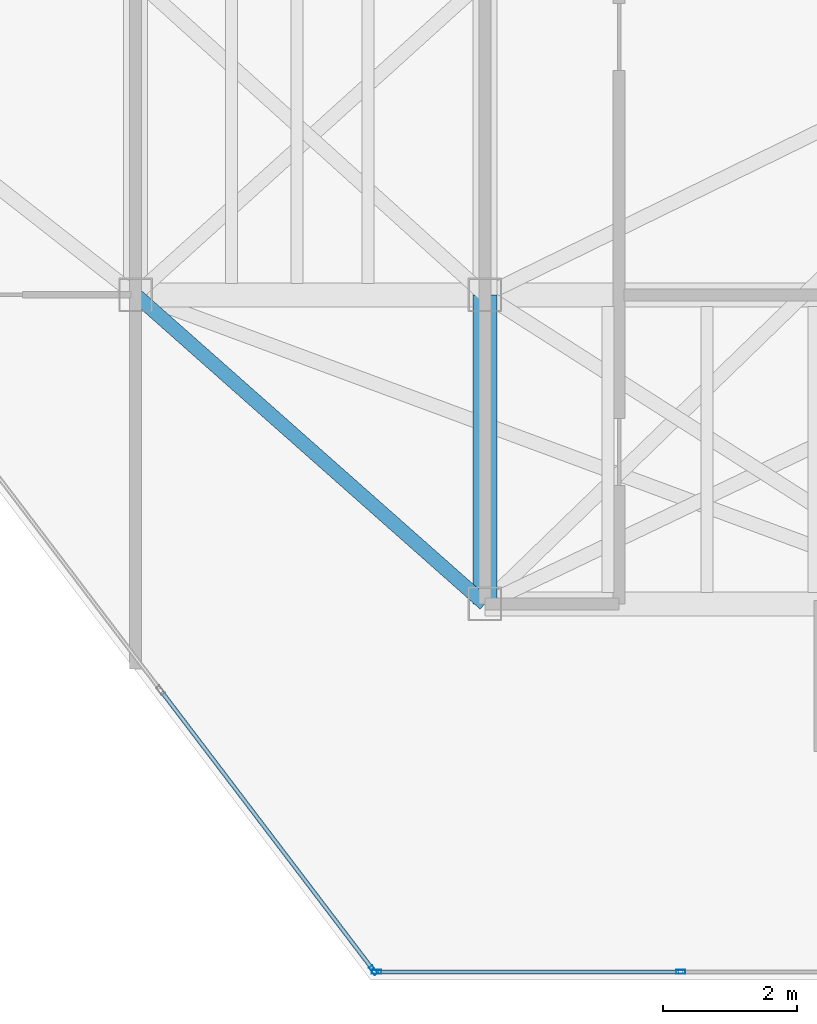
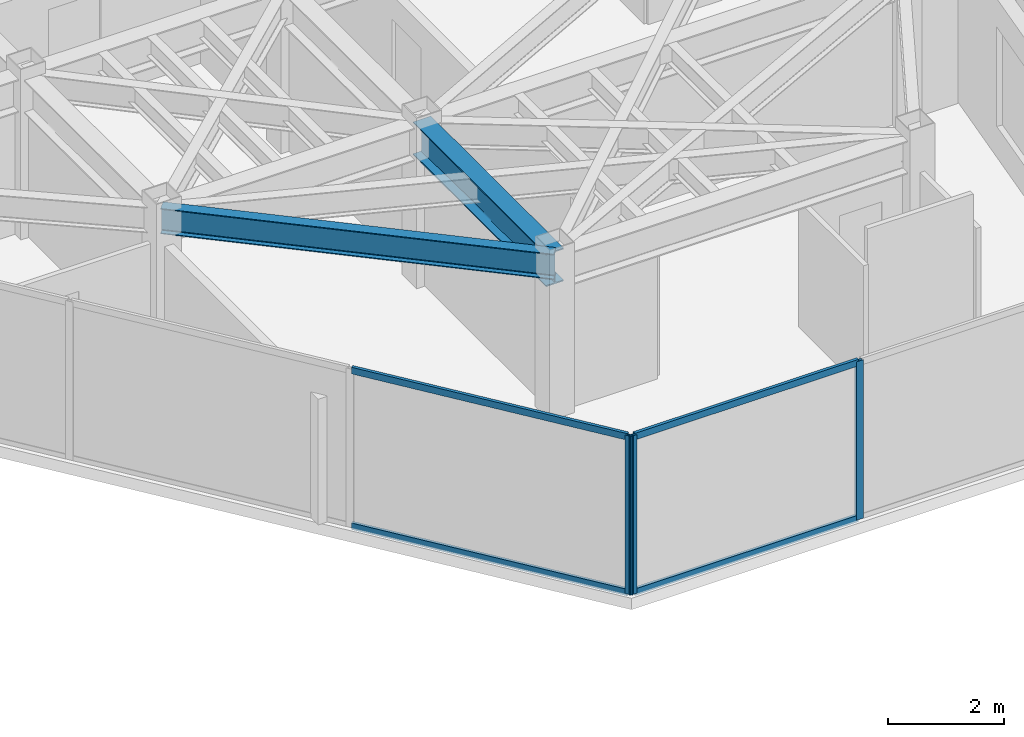
# One storey, part 12 of 20: 7 members, 2 beams, 2 elements without a shape of their own.
"""IFC4 building model written with IfcOpenShell, lengths in metres."""

from ifc_helpers import new_model, si_unit, direction, frame, origin, origin_2d, place, context, subcontext, project, spatial, hollow_rectangle, i_section, extrude, material, layer, layer_set, material_profile, profile_set, type_object, element, aggregate, save


model = new_model("IFC4")

# Units and contexts
model_context = context("Model", 3, precision=1e-05, world=origin(), true_north=direction((0.0, 1.0)))
body_context = subcontext(model_context, "Body", "Model", "MODEL_VIEW")
ifc_project = project(units=[si_unit("LENGTHUNIT", "METRE"), si_unit("AREAUNIT", "SQUARE_METRE"), si_unit("VOLUMEUNIT", "CUBIC_METRE"), si_unit("PLANEANGLEUNIT", "RADIAN"), si_unit("MASSUNIT", "GRAM", prefix="KILO")], contexts=[model_context])

# Site, building, storey
site_placement = place(None, origin())
site = spatial("IfcSite", under=ifc_project, at=site_placement, CompositionType="ELEMENT")
building_placement = place(site_placement, origin())
building = spatial("IfcBuilding", under=site, at=building_placement, Name="Kravanh Interchange Tower", CompositionType="ELEMENT")
storey_placement = place(building_placement, frame((0.0, 0.0, 241.800048828125)))
storey = spatial("IfcBuildingStorey", under=building, at=storey_placement, Name="L58", CompositionType="ELEMENT", Elevation=241.800048828125)

# Curtain wall, members
ifc_material_1 = material(Name="Anodised Bronze Aluminium", Category="aluminium")
ifc_layer = layer(ifc_material_1, 0.179931640625)
ifc_layer_set = layer_set([ifc_layer], Name="Unitised Curtain Wall System CW-HTL Luxury Hotel")
curtain_wall_type = type_object("IfcCurtainWallType", Name="Unitised Curtain Wall System CW-HTL Luxury Hotel", PredefinedType="NOTDEFINED", material=ifc_layer_set)
curtain_wall_1_placement = place(storey_placement, origin())
curtain_wall_1 = element("IfcCurtainWall", 1, at=curtain_wall_1_placement, inside=storey, type_object=curtain_wall_type, Name="L58 Unitised Curtain Wall CW-L58-03", PredefinedType="NOTDEFINED")
ifc_material_2 = material(Name="Anodised Bronze Aluminium", Category="aluminium")
ifc_material_profile_1 = material_profile(ifc_material_2, hollow_rectangle(XDim=0.06005859375, YDim=0.139892578125, WallThickness=0.00390625, at=origin_2d()), Name="ALU60X140X4")
ifc_profile_set_1 = profile_set([ifc_material_profile_1], Name="Anodised Bronze Aluminium")
member_type_1 = type_object("IfcMemberType", Name="Curtain Wall Mullion ALU60X140X4 Bronze", PredefinedType="MULLION", material=ifc_profile_set_1)
member_1_placement = place(storey_placement, frame((58.915771484375, 16.719970703125, 0.0), z_axis=(0.0, 0.0, 1.0), x_axis=(0.0, -1.0, 0.0)))
member_1 = element("IfcMember", 2, at=member_1_placement, type_object=member_type_1, Name="CW-HTL mullion 2", PredefinedType="MULLION", context=body_context, shape_type="SweptSolid", body=[
    extrude(hollow_rectangle(XDim=0.06005859375, YDim=0.139892578125, WallThickness=0.00390625, at=origin_2d()), origin(), (0.0, 0.0, 1.0), 3.349853515625),
])
member_2_placement = place(storey_placement, frame((54.389404296875, 16.719970703125, 0.0), z_axis=(0.0, 0.0, 1.0), x_axis=(0.0, -1.0, 0.0)))
member_2 = element("IfcMember", 3, at=member_2_placement, type_object=member_type_1, Name="CW-HTL mullion 3", PredefinedType="MULLION", context=body_context, shape_type="SweptSolid", body=[
    extrude(hollow_rectangle(XDim=0.06005859375, YDim=0.139892578125, WallThickness=0.00390625, at=origin_2d()), origin(), (0.0, 0.0, 1.0), 3.349853515625),
])

# Curtain wall, member
curtain_wall_2_placement = place(storey_placement, origin())
curtain_wall_2 = element("IfcCurtainWall", 4, at=curtain_wall_2_placement, inside=storey, type_object=curtain_wall_type, Name="L58 Unitised Curtain Wall CW-L58-04", PredefinedType="NOTDEFINED")
member_3_placement = place(storey_placement, frame((54.34130859375, 16.743896484375, 0.0), z_axis=(0.0, 0.0, 1.0), x_axis=(-0.79616243806, -0.605082946564, 0.0)))
member_3 = element("IfcMember", 5, at=member_3_placement, type_object=member_type_1, Name="CW-HTL mullion 1", PredefinedType="MULLION", context=body_context, shape_type="SweptSolid", body=[
    extrude(hollow_rectangle(XDim=0.06005859375, YDim=0.139892578125, WallThickness=0.00390625, at=origin_2d()), origin(), (0.0, 0.0, 1.0), 3.349853515625),
])

# Member
ifc_material_3 = material(Name="Anodised Bronze Aluminium", Category="aluminium")
ifc_material_profile_2 = material_profile(ifc_material_3, hollow_rectangle(XDim=0.06005859375, YDim=0.139892578125, WallThickness=0.00390625, at=origin_2d()), Name="ALU60X140X4")
ifc_profile_set_2 = profile_set([ifc_material_profile_2], Name="Anodised Bronze Aluminium")
member_type_2 = type_object("IfcMemberType", Name="Curtain Wall Transom ALU60X140X4 Bronze", PredefinedType="USERDEFINED", material=ifc_profile_set_2)
member_4_placement = place(storey_placement, frame((58.8857421875, 16.719970703125, 0.030029296875), z_axis=(-1.0, 0.0, 0.0), x_axis=(0.0, -1.0, 0.0)))
member_4 = element("IfcMember", 6, at=member_4_placement, type_object=member_type_2, Name="CW-HTL transom 2.1", ObjectType="TRANSOM", PredefinedType="USERDEFINED", context=body_context, shape_type="SweptSolid", body=[
    extrude(hollow_rectangle(XDim=0.06005859375, YDim=0.139892578125, WallThickness=0.00390625, at=origin_2d()), origin(), (0.0, 0.0, 1.0), 4.46630859375),
])

member_5_placement = place(storey_placement, frame((58.8857421875, 16.719970703125, 3.320068359375), z_axis=(-1.0, 0.0, 0.0), x_axis=(0.0, -1.0, 0.0)))
member_5 = element("IfcMember", 7, at=member_5_placement, type_object=member_type_2, Name="CW-HTL transom 2.2", ObjectType="TRANSOM", PredefinedType="USERDEFINED", context=body_context, shape_type="SweptSolid", body=[
    extrude(hollow_rectangle(XDim=0.06005859375, YDim=0.139892578125, WallThickness=0.00390625, at=origin_2d()), origin(), (0.0, 0.0, 1.0), 4.46630859375),
])

aggregate(curtain_wall_1, [member_1, member_2, member_4, member_5])

member_6_placement = place(storey_placement, frame((54.3232421875, 16.767822265625, 0.030029296875), z_axis=(-0.605089246946, 0.796157649734, 0.0), x_axis=(-0.796157649734, -0.605089246946, 0.0)))
member_6 = element("IfcMember", 8, at=member_6_placement, type_object=member_type_2, Name="CW-HTL transom 1.1", ObjectType="TRANSOM", PredefinedType="USERDEFINED", context=body_context, shape_type="SweptSolid", body=[
    extrude(hollow_rectangle(XDim=0.06005859375, YDim=0.139892578125, WallThickness=0.00390625, at=origin_2d()), origin(), (0.0, 0.0, 1.0), 5.17626953125),
])

member_7_placement = place(storey_placement, frame((54.3232421875, 16.767822265625, 3.320068359375), z_axis=(-0.605089246946, 0.796157649734, 0.0), x_axis=(-0.796157649734, -0.605089246946, 0.0)))
member_7 = element("IfcMember", 9, at=member_7_placement, type_object=member_type_2, Name="CW-HTL transom 1.2", ObjectType="TRANSOM", PredefinedType="USERDEFINED", context=body_context, shape_type="SweptSolid", body=[
    extrude(hollow_rectangle(XDim=0.06005859375, YDim=0.139892578125, WallThickness=0.00390625, at=origin_2d()), origin(), (0.0, 0.0, 1.0), 5.17626953125),
])

aggregate(curtain_wall_2, [member_3, member_6, member_7])

# Beams
ifc_material_4 = material(Name="Structural Steel S355", Category="steel")
ifc_material_profile_3 = material_profile(ifc_material_4, i_section(OverallWidth=0.35498046875, OverallDepth=0.696044921875, WebThickness=0.015380859375, FlangeThickness=0.02490234375, FilletRadius=0.02392578125, at=origin_2d()), Name="W27X146")
ifc_profile_set_3 = profile_set([ifc_material_profile_3], Name="Structural Steel S355")
beam_type_1 = type_object("IfcBeamType", Name="Floor Beam W27X146 Structural Steel S355", PredefinedType="BEAM", material=ifc_profile_set_3)
beam_1_placement = place(storey_placement, frame((56.0, 26.800048828125, 3.001953125), z_axis=(0.0, -1.0, 0.0), x_axis=(1.0, 0.0, 0.0)))
element("IfcBeam", 10, at=beam_1_placement, inside=storey, type_object=beam_type_1, Name="L58 Primary Floor Girder 34", PredefinedType="BEAM", context=body_context, shape_type="SweptSolid", body=[
    extrude(i_section(OverallWidth=0.35498046875, OverallDepth=0.696044921875, WebThickness=0.015380859375, FlangeThickness=0.02490234375, FilletRadius=0.02392578125, at=origin_2d()), origin(), (0.0, 0.0, 1.0), 4.60009765625),
])
ifc_material_5 = material(Name="Structural Steel S355", Category="steel")
ifc_material_profile_4 = material_profile(ifc_material_5, i_section(OverallWidth=0.2099609375, OverallDepth=0.537109375, WebThickness=0.010986328125, FlangeThickness=0.017333984375, FilletRadius=0.02001953125, at=origin_2d()), Name="W21X68")
ifc_profile_set_4 = profile_set([ifc_material_profile_4], Name="Structural Steel S355")
beam_type_2 = type_object("IfcBeamType", Name="Floor Spandrel W21X68 Structural Steel S355", PredefinedType="SPANDREL", material=ifc_profile_set_4)
beam_2_placement = place(storey_placement, frame((50.800048828125, 26.800048828125, 3.08154296875), z_axis=(0.74898649432, -0.662585263439, 0.0), x_axis=(0.662585263439, 0.74898649432, 0.0)))
element("IfcBeam", 11, at=beam_2_placement, inside=storey, type_object=beam_type_2, Name="L58 Perimeter Spandrel 32", PredefinedType="SPANDREL", context=body_context, shape_type="SweptSolid", body=[
    extrude(i_section(OverallWidth=0.2099609375, OverallDepth=0.537109375, WebThickness=0.010986328125, FlangeThickness=0.017333984375, FilletRadius=0.02001953125, at=origin_2d()), origin(), (0.0, 0.0, 1.0), 6.942626953125),
])

save(model, "model.ifc")
